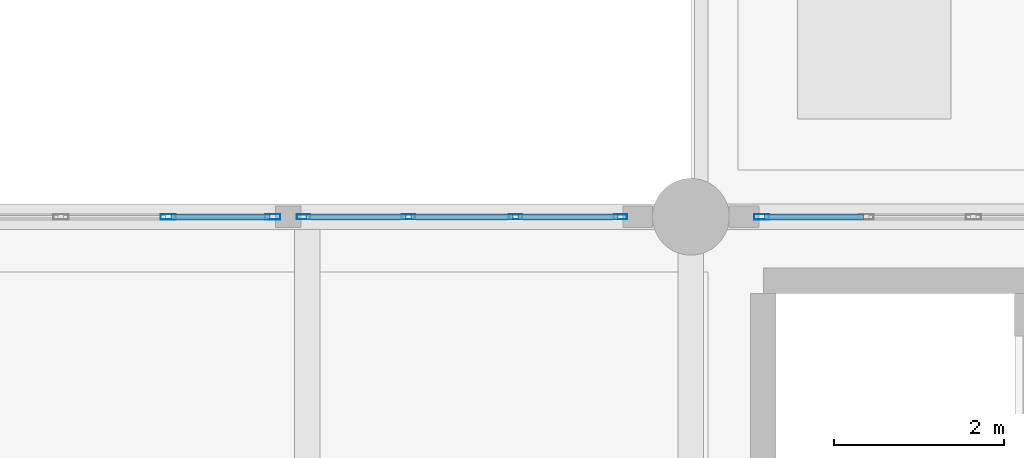
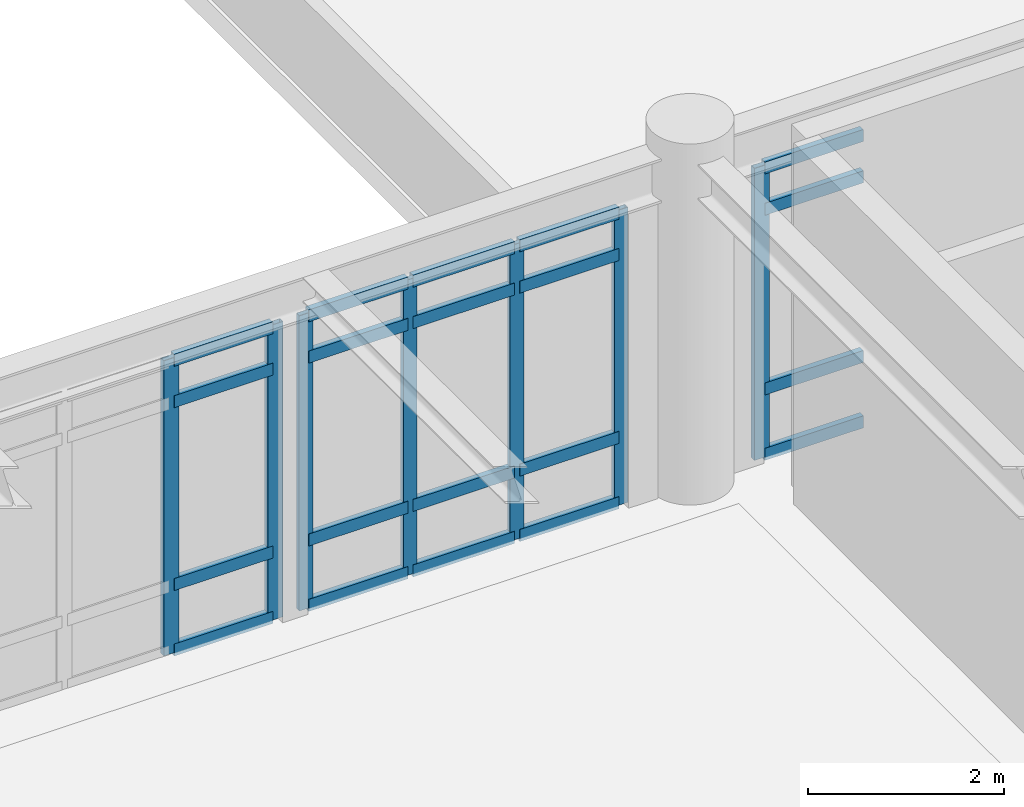
# One storey, part 16 of 55: 27 members, 3 elements without a shape of their own.
"""IFC4 building model written with IfcOpenShell, lengths in metres."""

from ifc_helpers import new_model, si_unit, direction, frame, origin, origin_2d, place, context, subcontext, project, spatial, hollow_rectangle, extrude, material, layer, layer_set, material_profile, profile_set, type_object, element, aggregate, save


model = new_model("IFC4")

# Units and contexts
model_context = context("Model", 3, precision=1e-05, world=origin(), true_north=direction((0.0, 1.0)))
body_context = subcontext(model_context, "Body", "Model", "MODEL_VIEW")
ifc_project = project(units=[si_unit("LENGTHUNIT", "METRE"), si_unit("AREAUNIT", "SQUARE_METRE"), si_unit("VOLUMEUNIT", "CUBIC_METRE"), si_unit("PLANEANGLEUNIT", "RADIAN"), si_unit("MASSUNIT", "GRAM", prefix="KILO")], contexts=[model_context])

# Site, building, storey
site_placement = place(None, origin())
site = spatial("IfcSite", under=ifc_project, at=site_placement, CompositionType="ELEMENT")
building_placement = place(site_placement, origin())
building = spatial("IfcBuilding", under=site, at=building_placement, Name="Fikremerkos Civic Library", CompositionType="ELEMENT")
storey_placement = place(building_placement, frame((0.0, 0.0, 18.89990234375)))
storey = spatial("IfcBuildingStorey", under=building, at=storey_placement, Name="L04", CompositionType="ELEMENT", Elevation=18.89990234375)

# Curtain wall, members
ifc_material = material(Name="Anodized aluminium Frame", Category="aluminium")
ifc_layer_1 = layer(ifc_material, 0.159912109375, Name="Anodized aluminium Frame")
ifc_layer_set_1 = layer_set([ifc_layer_1], Name="Anodized aluminium Frame")
curtain_wall_type_1 = type_object("IfcCurtainWallType", Name="Unitised curtain wall CW-17 4600x3600", PredefinedType="USERDEFINED", material=ifc_layer_set_1)
curtain_wall_1_placement = place(storey_placement, origin())
curtain_wall_1 = element("IfcCurtainWall", 1, at=curtain_wall_1_placement, inside=storey, type_object=curtain_wall_type_1, Name="Unitised curtain wall CW-17 L04 #233", ObjectType="UNITISED CURTAIN WALL", PredefinedType="USERDEFINED")
ifc_material_profile_1 = material_profile(ifc_material, hollow_rectangle(XDim=0.06494140625, YDim=0.179931640625, WallThickness=0.00439453125, at=origin_2d()), Name="ALU 180x65x4.5")
ifc_profile_set_1 = profile_set([ifc_material_profile_1], Name="Anodized aluminium Frame")
member_type_1 = type_object("IfcMemberType", Name="Curtain mullion CWM-01 ALU 180x65x4.5", PredefinedType="MULLION", material=ifc_profile_set_1)
member_1_placement = place(storey_placement, frame((40.06689453125, 31.199951171875, 0.0), z_axis=(0.0, 0.0, 1.0), x_axis=(0.0, 1.0, 0.0)))
member_1 = element("IfcMember", 2, at=member_1_placement, type_object=member_type_1, Name="CW-17 mullion 3", PredefinedType="MULLION", context=body_context, shape_type="SweptSolid", body=[
    extrude(hollow_rectangle(XDim=0.06494140625, YDim=0.179931640625, WallThickness=0.00439453125, at=origin_2d()), origin(), (0.0, 0.0, 1.0), 3.68017578125),
])
member_2_placement = place(storey_placement, frame((41.293212890625, 31.199951171875, 0.0), z_axis=(0.0, 0.0, 1.0), x_axis=(0.0, 1.0, 0.0)))
member_2 = element("IfcMember", 3, at=member_2_placement, type_object=member_type_1, Name="CW-17 mullion 4", PredefinedType="MULLION", context=body_context, shape_type="SweptSolid", body=[
    extrude(hollow_rectangle(XDim=0.06494140625, YDim=0.179931640625, WallThickness=0.00439453125, at=origin_2d()), origin(), (0.0, 0.0, 1.0), 3.68017578125),
])

# Curtain wall, member
ifc_layer_2 = layer(ifc_material, 0.159912109375, Name="Anodized aluminium Frame")
ifc_layer_set_2 = layer_set([ifc_layer_2], Name="Anodized aluminium Frame")
curtain_wall_type_2 = type_object("IfcCurtainWallType", Name="Unitised curtain wall CW-01 3600x3600", PredefinedType="USERDEFINED", material=ifc_layer_set_2)
curtain_wall_2_placement = place(storey_placement, origin())
curtain_wall_2 = element("IfcCurtainWall", 4, at=curtain_wall_2_placement, inside=storey, type_object=curtain_wall_type_2, Name="Unitised curtain wall CW-01 L04 #235", ObjectType="UNITISED CURTAIN WALL", PredefinedType="USERDEFINED")
member_3_placement = place(storey_placement, frame((47.030517578125, 31.199951171875, 0.0), z_axis=(0.0, 0.0, 1.0), x_axis=(0.0, 1.0, 0.0)))
member_3 = element("IfcMember", 5, at=member_3_placement, type_object=member_type_1, Name="CW-01 mullion 1", PredefinedType="MULLION", context=body_context, shape_type="SweptSolid", body=[
    extrude(hollow_rectangle(XDim=0.06494140625, YDim=0.179931640625, WallThickness=0.00439453125, at=origin_2d()), origin(), (0.0, 0.0, 1.0), 3.64013671875),
])

# Curtain wall, members
ifc_layer_3 = layer(ifc_material, 0.159912109375, Name="Anodized aluminium Frame")
ifc_layer_set_3 = layer_set([ifc_layer_3], Name="Anodized aluminium Frame")
curtain_wall_type_3 = type_object("IfcCurtainWallType", Name="Unitised curtain wall CW-18 2700x3400", PredefinedType="USERDEFINED", material=ifc_layer_set_3)
curtain_wall_3_placement = place(storey_placement, origin())
curtain_wall_3 = element("IfcCurtainWall", 6, at=curtain_wall_3_placement, inside=storey, type_object=curtain_wall_type_3, Name="Unitised curtain wall CW-18 L04 #234", ObjectType="UNITISED CURTAIN WALL", PredefinedType="USERDEFINED")
ifc_material_profile_2 = material_profile(ifc_material, hollow_rectangle(XDim=0.06005859375, YDim=0.159912109375, WallThickness=0.00390625, at=origin_2d()), Name="ALU 160x60x4")
ifc_profile_set_2 = profile_set([ifc_material_profile_2], Name="Anodized aluminium Frame")
member_type_2 = type_object("IfcMemberType", Name="Curtain mullion CWM-02 ALU 160x60x4", PredefinedType="MULLION", material=ifc_profile_set_2)
member_4_placement = place(storey_placement, frame((41.65576171875, 31.199951171875, 0.0), z_axis=(0.0, 0.0, 1.0), x_axis=(0.0, 1.0, 0.0)))
member_4 = element("IfcMember", 7, at=member_4_placement, type_object=member_type_2, Name="CW-18 mullion 1", PredefinedType="MULLION", context=body_context, shape_type="SweptSolid", body=[
    extrude(hollow_rectangle(XDim=0.06005859375, YDim=0.159912109375, WallThickness=0.00390625, at=origin_2d()), origin(), (0.0, 0.0, 1.0), 3.68017578125),
])
member_5_placement = place(storey_placement, frame((42.884521484375, 31.199951171875, 0.0), z_axis=(0.0, 0.0, 1.0), x_axis=(0.0, 1.0, 0.0)))
member_5 = element("IfcMember", 8, at=member_5_placement, type_object=member_type_2, Name="CW-18 mullion 2", PredefinedType="MULLION", context=body_context, shape_type="SweptSolid", body=[
    extrude(hollow_rectangle(XDim=0.06005859375, YDim=0.159912109375, WallThickness=0.00390625, at=origin_2d()), origin(), (0.0, 0.0, 1.0), 3.68017578125),
])
member_6_placement = place(storey_placement, frame((44.143310546875, 31.199951171875, 0.0), z_axis=(0.0, 0.0, 1.0), x_axis=(0.0, 1.0, 0.0)))
member_6 = element("IfcMember", 9, at=member_6_placement, type_object=member_type_2, Name="CW-18 mullion 3", PredefinedType="MULLION", context=body_context, shape_type="SweptSolid", body=[
    extrude(hollow_rectangle(XDim=0.06005859375, YDim=0.159912109375, WallThickness=0.00390625, at=origin_2d()), origin(), (0.0, 0.0, 1.0), 3.68017578125),
])
member_7_placement = place(storey_placement, frame((45.3720703125, 31.199951171875, 0.0), z_axis=(0.0, 0.0, 1.0), x_axis=(0.0, 1.0, 0.0)))
member_7 = element("IfcMember", 10, at=member_7_placement, type_object=member_type_2, Name="CW-18 mullion 4", PredefinedType="MULLION", context=body_context, shape_type="SweptSolid", body=[
    extrude(hollow_rectangle(XDim=0.06005859375, YDim=0.159912109375, WallThickness=0.00390625, at=origin_2d()), origin(), (0.0, 0.0, 1.0), 3.68017578125),
])

# Member
ifc_material_profile_3 = material_profile(ifc_material, hollow_rectangle(XDim=0.070068359375, YDim=0.14990234375, WallThickness=0.00439453125, at=origin_2d()), Name="ALU 150x70x4.5")
ifc_profile_set_3 = profile_set([ifc_material_profile_3], Name="Anodized aluminium Frame")
member_type_3 = type_object("IfcMemberType", Name="Curtain transom CWT-01 ALU 150x70x4.5", PredefinedType="USERDEFINED", material=ifc_profile_set_3)
member_8_placement = place(storey_placement, frame((40.099365234375, 31.199951171875, 0.03515625), z_axis=(1.0, 0.0, 0.0), x_axis=(0.0, 1.0, 0.0)))
member_8 = element("IfcMember", 11, at=member_8_placement, type_object=member_type_3, Name="CW-17 transom 3.1", ObjectType="TRANSOM", PredefinedType="USERDEFINED", context=body_context, shape_type="SweptSolid", body=[
    extrude(hollow_rectangle(XDim=0.070068359375, YDim=0.14990234375, WallThickness=0.00439453125, at=origin_2d()), origin(), (0.0, 0.0, 1.0), 1.161376953125),
])

member_9_placement = place(storey_placement, frame((40.099365234375, 31.199951171875, 0.85009765625), z_axis=(1.0, 0.0, 0.0), x_axis=(0.0, 1.0, 0.0)))
member_9 = element("IfcMember", 12, at=member_9_placement, type_object=member_type_3, Name="CW-17 transom 3.2", ObjectType="TRANSOM", PredefinedType="USERDEFINED", context=body_context, shape_type="SweptSolid", body=[
    extrude(hollow_rectangle(XDim=0.070068359375, YDim=0.14990234375, WallThickness=0.00439453125, at=origin_2d()), origin(), (0.0, 0.0, 1.0), 1.161376953125),
])

member_10_placement = place(storey_placement, frame((40.099365234375, 31.199951171875, 3.130126953125), z_axis=(1.0, 0.0, 0.0), x_axis=(0.0, 1.0, 0.0)))
member_10 = element("IfcMember", 13, at=member_10_placement, type_object=member_type_3, Name="CW-17 transom 3.3", ObjectType="TRANSOM", PredefinedType="USERDEFINED", context=body_context, shape_type="SweptSolid", body=[
    extrude(hollow_rectangle(XDim=0.070068359375, YDim=0.14990234375, WallThickness=0.00439453125, at=origin_2d()), origin(), (0.0, 0.0, 1.0), 1.161376953125),
])

member_11_placement = place(storey_placement, frame((40.099365234375, 31.199951171875, 3.64501953125), z_axis=(1.0, 0.0, 0.0), x_axis=(0.0, 1.0, 0.0)))
member_11 = element("IfcMember", 14, at=member_11_placement, type_object=member_type_3, Name="CW-17 transom 3.4", ObjectType="TRANSOM", PredefinedType="USERDEFINED", context=body_context, shape_type="SweptSolid", body=[
    extrude(hollow_rectangle(XDim=0.070068359375, YDim=0.14990234375, WallThickness=0.00439453125, at=origin_2d()), origin(), (0.0, 0.0, 1.0), 1.161376953125),
])

aggregate(curtain_wall_1, [member_1, member_2, member_8, member_9, member_10, member_11])

member_12_placement = place(storey_placement, frame((41.685791015625, 31.199951171875, 0.03515625), z_axis=(1.0, 0.0, 0.0), x_axis=(0.0, 1.0, 0.0)))
member_12 = element("IfcMember", 15, at=member_12_placement, type_object=member_type_3, Name="CW-18 transom 1.1", ObjectType="TRANSOM", PredefinedType="USERDEFINED", context=body_context, shape_type="SweptSolid", body=[
    extrude(hollow_rectangle(XDim=0.070068359375, YDim=0.14990234375, WallThickness=0.00439453125, at=origin_2d()), origin(), (0.0, 0.0, 1.0), 1.168701171875),
])

member_13_placement = place(storey_placement, frame((41.685791015625, 31.199951171875, 0.85009765625), z_axis=(1.0, 0.0, 0.0), x_axis=(0.0, 1.0, 0.0)))
member_13 = element("IfcMember", 16, at=member_13_placement, type_object=member_type_3, Name="CW-18 transom 1.2", ObjectType="TRANSOM", PredefinedType="USERDEFINED", context=body_context, shape_type="SweptSolid", body=[
    extrude(hollow_rectangle(XDim=0.070068359375, YDim=0.14990234375, WallThickness=0.00439453125, at=origin_2d()), origin(), (0.0, 0.0, 1.0), 1.168701171875),
])

member_14_placement = place(storey_placement, frame((41.685791015625, 31.199951171875, 3.130126953125), z_axis=(1.0, 0.0, 0.0), x_axis=(0.0, 1.0, 0.0)))
member_14 = element("IfcMember", 17, at=member_14_placement, type_object=member_type_3, Name="CW-18 transom 1.3", ObjectType="TRANSOM", PredefinedType="USERDEFINED", context=body_context, shape_type="SweptSolid", body=[
    extrude(hollow_rectangle(XDim=0.070068359375, YDim=0.14990234375, WallThickness=0.00439453125, at=origin_2d()), origin(), (0.0, 0.0, 1.0), 1.168701171875),
])

member_15_placement = place(storey_placement, frame((41.685791015625, 31.199951171875, 3.64501953125), z_axis=(1.0, 0.0, 0.0), x_axis=(0.0, 1.0, 0.0)))
member_15 = element("IfcMember", 18, at=member_15_placement, type_object=member_type_3, Name="CW-18 transom 1.4", ObjectType="TRANSOM", PredefinedType="USERDEFINED", context=body_context, shape_type="SweptSolid", body=[
    extrude(hollow_rectangle(XDim=0.070068359375, YDim=0.14990234375, WallThickness=0.00439453125, at=origin_2d()), origin(), (0.0, 0.0, 1.0), 1.168701171875),
])

member_16_placement = place(storey_placement, frame((42.91455078125, 31.199951171875, 0.03515625), z_axis=(1.0, 0.0, 0.0), x_axis=(0.0, 1.0, 0.0)))
member_16 = element("IfcMember", 19, at=member_16_placement, type_object=member_type_3, Name="CW-18 transom 2.1", ObjectType="TRANSOM", PredefinedType="USERDEFINED", context=body_context, shape_type="SweptSolid", body=[
    extrude(hollow_rectangle(XDim=0.070068359375, YDim=0.14990234375, WallThickness=0.00439453125, at=origin_2d()), origin(), (0.0, 0.0, 1.0), 1.19873046875),
])

member_17_placement = place(storey_placement, frame((42.91455078125, 31.199951171875, 0.85009765625), z_axis=(1.0, 0.0, 0.0), x_axis=(0.0, 1.0, 0.0)))
member_17 = element("IfcMember", 20, at=member_17_placement, type_object=member_type_3, Name="CW-18 transom 2.2", ObjectType="TRANSOM", PredefinedType="USERDEFINED", context=body_context, shape_type="SweptSolid", body=[
    extrude(hollow_rectangle(XDim=0.070068359375, YDim=0.14990234375, WallThickness=0.00439453125, at=origin_2d()), origin(), (0.0, 0.0, 1.0), 1.19873046875),
])

member_18_placement = place(storey_placement, frame((42.91455078125, 31.199951171875, 3.130126953125), z_axis=(1.0, 0.0, 0.0), x_axis=(0.0, 1.0, 0.0)))
member_18 = element("IfcMember", 21, at=member_18_placement, type_object=member_type_3, Name="CW-18 transom 2.3", ObjectType="TRANSOM", PredefinedType="USERDEFINED", context=body_context, shape_type="SweptSolid", body=[
    extrude(hollow_rectangle(XDim=0.070068359375, YDim=0.14990234375, WallThickness=0.00439453125, at=origin_2d()), origin(), (0.0, 0.0, 1.0), 1.19873046875),
])

member_19_placement = place(storey_placement, frame((42.91455078125, 31.199951171875, 3.64501953125), z_axis=(1.0, 0.0, 0.0), x_axis=(0.0, 1.0, 0.0)))
member_19 = element("IfcMember", 22, at=member_19_placement, type_object=member_type_3, Name="CW-18 transom 2.4", ObjectType="TRANSOM", PredefinedType="USERDEFINED", context=body_context, shape_type="SweptSolid", body=[
    extrude(hollow_rectangle(XDim=0.070068359375, YDim=0.14990234375, WallThickness=0.00439453125, at=origin_2d()), origin(), (0.0, 0.0, 1.0), 1.19873046875),
])

member_20_placement = place(storey_placement, frame((44.17333984375, 31.199951171875, 0.03515625), z_axis=(1.0, 0.0, 0.0), x_axis=(0.0, 1.0, 0.0)))
member_20 = element("IfcMember", 23, at=member_20_placement, type_object=member_type_3, Name="CW-18 transom 3.1", ObjectType="TRANSOM", PredefinedType="USERDEFINED", context=body_context, shape_type="SweptSolid", body=[
    extrude(hollow_rectangle(XDim=0.070068359375, YDim=0.14990234375, WallThickness=0.00439453125, at=origin_2d()), origin(), (0.0, 0.0, 1.0), 1.168701171875),
])

member_21_placement = place(storey_placement, frame((44.17333984375, 31.199951171875, 0.85009765625), z_axis=(1.0, 0.0, 0.0), x_axis=(0.0, 1.0, 0.0)))
member_21 = element("IfcMember", 24, at=member_21_placement, type_object=member_type_3, Name="CW-18 transom 3.2", ObjectType="TRANSOM", PredefinedType="USERDEFINED", context=body_context, shape_type="SweptSolid", body=[
    extrude(hollow_rectangle(XDim=0.070068359375, YDim=0.14990234375, WallThickness=0.00439453125, at=origin_2d()), origin(), (0.0, 0.0, 1.0), 1.168701171875),
])

member_22_placement = place(storey_placement, frame((44.17333984375, 31.199951171875, 3.130126953125), z_axis=(1.0, 0.0, 0.0), x_axis=(0.0, 1.0, 0.0)))
member_22 = element("IfcMember", 25, at=member_22_placement, type_object=member_type_3, Name="CW-18 transom 3.3", ObjectType="TRANSOM", PredefinedType="USERDEFINED", context=body_context, shape_type="SweptSolid", body=[
    extrude(hollow_rectangle(XDim=0.070068359375, YDim=0.14990234375, WallThickness=0.00439453125, at=origin_2d()), origin(), (0.0, 0.0, 1.0), 1.168701171875),
])

member_23_placement = place(storey_placement, frame((44.17333984375, 31.199951171875, 3.64501953125), z_axis=(1.0, 0.0, 0.0), x_axis=(0.0, 1.0, 0.0)))
member_23 = element("IfcMember", 26, at=member_23_placement, type_object=member_type_3, Name="CW-18 transom 3.4", ObjectType="TRANSOM", PredefinedType="USERDEFINED", context=body_context, shape_type="SweptSolid", body=[
    extrude(hollow_rectangle(XDim=0.070068359375, YDim=0.14990234375, WallThickness=0.00439453125, at=origin_2d()), origin(), (0.0, 0.0, 1.0), 1.168701171875),
])

aggregate(curtain_wall_3, [member_4, member_5, member_6, member_7, member_12, member_13, member_14, member_15, member_16, member_17, member_18, member_19, member_20, member_21, member_22, member_23])

member_24_placement = place(storey_placement, frame((47.06298828125, 31.199951171875, 0.03515625), z_axis=(1.0, 0.0, 0.0), x_axis=(0.0, 1.0, 0.0)))
member_24 = element("IfcMember", 27, at=member_24_placement, type_object=member_type_3, Name="CW-01 transom 1.1", ObjectType="TRANSOM", PredefinedType="USERDEFINED", context=body_context, shape_type="SweptSolid", body=[
    extrude(hollow_rectangle(XDim=0.070068359375, YDim=0.14990234375, WallThickness=0.00439453125, at=origin_2d()), origin(), (0.0, 0.0, 1.0), 1.161376953125),
])

member_25_placement = place(storey_placement, frame((47.06298828125, 31.199951171875, 0.85009765625), z_axis=(1.0, 0.0, 0.0), x_axis=(0.0, 1.0, 0.0)))
member_25 = element("IfcMember", 28, at=member_25_placement, type_object=member_type_3, Name="CW-01 transom 1.2", ObjectType="TRANSOM", PredefinedType="USERDEFINED", context=body_context, shape_type="SweptSolid", body=[
    extrude(hollow_rectangle(XDim=0.070068359375, YDim=0.14990234375, WallThickness=0.00439453125, at=origin_2d()), origin(), (0.0, 0.0, 1.0), 1.161376953125),
])

member_26_placement = place(storey_placement, frame((47.06298828125, 31.199951171875, 3.090087890625), z_axis=(1.0, 0.0, 0.0), x_axis=(0.0, 1.0, 0.0)))
member_26 = element("IfcMember", 29, at=member_26_placement, type_object=member_type_3, Name="CW-01 transom 1.3", ObjectType="TRANSOM", PredefinedType="USERDEFINED", context=body_context, shape_type="SweptSolid", body=[
    extrude(hollow_rectangle(XDim=0.070068359375, YDim=0.14990234375, WallThickness=0.00439453125, at=origin_2d()), origin(), (0.0, 0.0, 1.0), 1.161376953125),
])

member_27_placement = place(storey_placement, frame((47.06298828125, 31.199951171875, 3.60498046875), z_axis=(1.0, 0.0, 0.0), x_axis=(0.0, 1.0, 0.0)))
member_27 = element("IfcMember", 30, at=member_27_placement, type_object=member_type_3, Name="CW-01 transom 1.4", ObjectType="TRANSOM", PredefinedType="USERDEFINED", context=body_context, shape_type="SweptSolid", body=[
    extrude(hollow_rectangle(XDim=0.070068359375, YDim=0.14990234375, WallThickness=0.00439453125, at=origin_2d()), origin(), (0.0, 0.0, 1.0), 1.161376953125),
])

aggregate(curtain_wall_2, [member_3, member_24, member_25, member_26, member_27])

save(model, "model.ifc")
